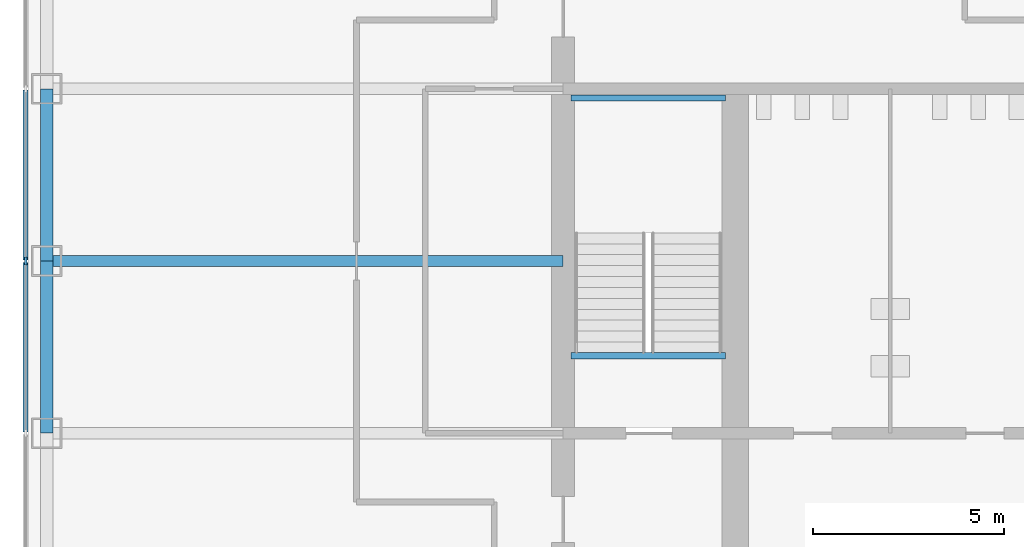
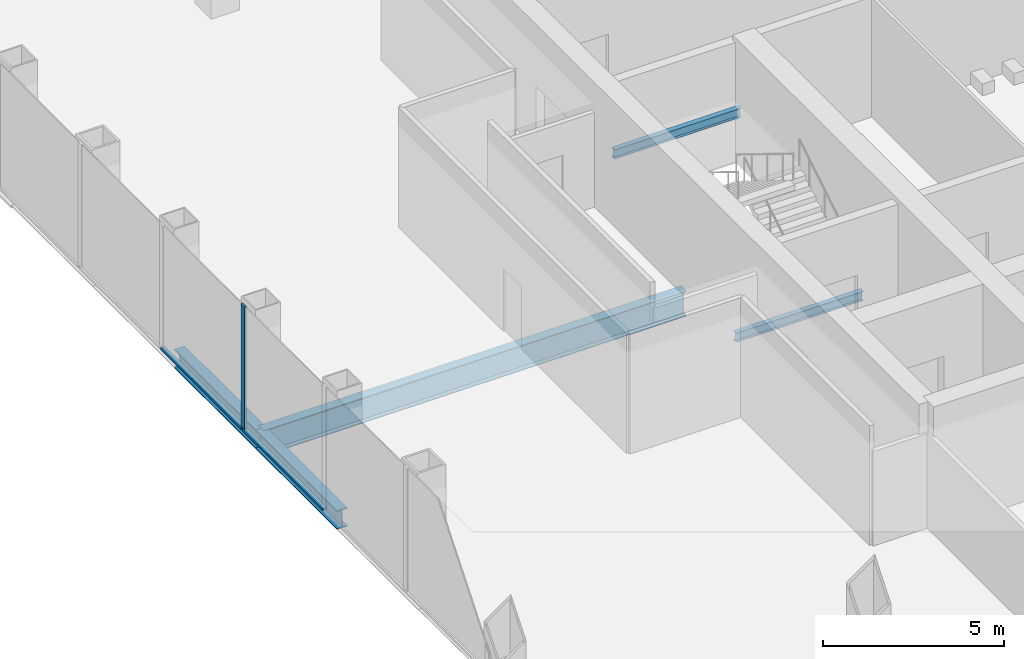
# One storey, part 3 of 12: 5 beams, 3 members, 1 element without a shape of its own.
"""IFC4 building model written with IfcOpenShell, lengths in metres."""

from ifc_helpers import new_model, si_unit, direction, frame, origin, origin_2d, place, context, subcontext, project, spatial, rectangle, i_section, extrude, material, material_profile, profile_set, type_object, element, aggregate, save


model = new_model("IFC4")

# Units and contexts
model_context = context("Model", 3, precision=1e-05, world=origin(), true_north=direction((0.0, 1.0)))
body_context = subcontext(model_context, "Body", "Model", "MODEL_VIEW")
ifc_project = project(units=[si_unit("LENGTHUNIT", "METRE"), si_unit("AREAUNIT", "SQUARE_METRE"), si_unit("VOLUMEUNIT", "CUBIC_METRE"), si_unit("PLANEANGLEUNIT", "RADIAN"), si_unit("MASSUNIT", "GRAM", prefix="KILO")], contexts=[model_context])

# Site, building, storey
site_placement = place(None, origin())
site = spatial("IfcSite", under=ifc_project, at=site_placement, CompositionType="ELEMENT")
building_placement = place(site_placement, origin())
building = spatial("IfcBuilding", under=site, at=building_placement, Name="Corais Broadcast Tower", CompositionType="ELEMENT")
storey_placement = place(building_placement, frame((0.0, 0.0, 75.199951171875)))
storey = spatial("IfcBuildingStorey", under=building, at=storey_placement, Name="L16", CompositionType="ELEMENT", Elevation=75.199951171875)

# Beams
ifc_material_1 = material(Name="Steel ASTM A572 Grade 50", Category="steel")
ifc_material_profile_1 = material_profile(ifc_material_1, i_section(OverallWidth=0.2939453125, OverallDepth=0.85107421875, WebThickness=0.01611328125, FlangeThickness=0.02685546875, at=origin_2d()), Name="W840x226")
ifc_profile_set_1 = profile_set([ifc_material_profile_1], Name="Steel ASTM A572 Grade 50")
beam_type_1 = type_object("IfcBeamType", Name="Floor beam W840x226", PredefinedType="BEAM", material=ifc_profile_set_1)
beam_placement = place(storey_placement, frame((0.0, 27.0, -0.58544921875), z_axis=(1.0, 0.0, 0.0), x_axis=(0.0, 1.0, 0.0)))
element("IfcBeam", 1, at=beam_placement, inside=storey, type_object=beam_type_1, Name="B1 G/3 to G/6", PredefinedType="BEAM", context=body_context, shape_type="SweptSolid", body=[
    extrude(i_section(OverallWidth=0.2939453125, OverallDepth=0.85107421875, WebThickness=0.01611328125, FlangeThickness=0.02685546875, at=origin_2d()), origin(), (0.0, 0.0, 1.0), 13.5),
])
ifc_material_2 = material(Name="Steel ASTM A572 Grade 50", Category="steel")
ifc_material_profile_2 = material_profile(ifc_material_2, i_section(OverallWidth=0.1650390625, OverallDepth=0.31005859375, WebThickness=0.005859375, FlangeThickness=0.009765625, at=origin_2d()), Name="W310x38.7")
ifc_profile_set_2 = profile_set([ifc_material_profile_2], Name="Steel ASTM A572 Grade 50")
beam_type_2 = type_object("IfcBeamType", Name="Landing trimmer W310x38.7", PredefinedType="BEAM", material=ifc_profile_set_2)
for number, where, z_axis, x_axis, name in (
    (2, (13.699951171875, 24.52490234375, -0.35498046875), (1.0, 0.0, 0.0), (0.0, 1.0, 0.0), "LT1 stair A landing trimmer L16"),
    (3, (13.699951171875, 31.260009765625, 1.7451171875), (1.0, 0.0, 0.0), (0.0, 1.0, 0.0), "LT1 stair A half landing trimmer L16"),
):
    element("IfcBeam", number, at=place(storey_placement, frame(where, z_axis=z_axis, x_axis=x_axis)), inside=storey, type_object=beam_type_2, Name=name, PredefinedType="BEAM", context=body_context, shape_type="SweptSolid", body=[
        extrude(i_section(OverallWidth=0.1650390625, OverallDepth=0.31005859375, WebThickness=0.005859375, FlangeThickness=0.009765625, at=origin_2d()), origin(), (0.0, 0.0, 1.0), 4.050048828125),
    ])

# Curtain wall, member
ifc_material_3 = material(Name="Aluminium and glass", Category="aluminium")
curtain_wall_type = type_object("IfcCurtainWallType", Name="Unitised fritted curtain wall CW1", PredefinedType="NOTDEFINED", material=ifc_material_3)
curtain_wall_placement = place(storey_placement, origin())
curtain_wall = element("IfcCurtainWall", 4, at=curtain_wall_placement, inside=storey, type_object=curtain_wall_type, Name="CW1 curtain wall L16 2", PredefinedType="NOTDEFINED")
ifc_material_4 = material(Name="Aluminium 6063-T6", Category="aluminium")
ifc_material_profile_3 = material_profile(ifc_material_4, rectangle(XDim=0.06494140625, YDim=0.199951171875, at=origin_2d()), Name="Mullion CW1 65x200")
ifc_profile_set_3 = profile_set([ifc_material_profile_3], Name="Aluminium 6063-T6")
member_type_1 = type_object("IfcMemberType", Name="Mullion CW1 65x200", PredefinedType="MULLION", material=ifc_profile_set_3)
member_1_placement = place(storey_placement, frame((-0.550048828125, 27.0, 0.0), z_axis=(0.0, 0.0, 1.0), x_axis=(-1.0, 0.0, 0.0)))
member_1 = element("IfcMember", 5, at=member_1_placement, type_object=member_type_1, Name="CW1 mullion 6", PredefinedType="MULLION", context=body_context, shape_type="SweptSolid", body=[
    extrude(rectangle(XDim=0.06494140625, YDim=0.199951171875, at=origin_2d()), origin(), (0.0, 0.0, 1.0), 4.199951171875),
])

# Beams
ifc_material_5 = material(Name="Steel ASTM A572 Grade 50", Category="steel")
ifc_material_profile_4 = material_profile(ifc_material_5, i_section(OverallWidth=0.3291015625, OverallDepth=0.635009765625, WebThickness=0.017822265625, FlangeThickness=0.031005859375, at=origin_2d()), Name="W610x241")
ifc_profile_set_4 = profile_set([ifc_material_profile_4], Name="Steel ASTM A572 Grade 50")
beam_type_3 = type_object("IfcBeamType", Name="Spandrel W610x241", PredefinedType="BEAM", material=ifc_profile_set_4)
for number, where, z_axis, x_axis, name in (
    (6, (0.0, 27.0, -0.4775390625), (0.0, -1.0, 0.0), (1.0, 0.0, 0.0), "SB1 G/3 to F/3"),
    (7, (0.0, 31.5, -0.4775390625), (0.0, -1.0, 0.0), (1.0, 0.0, 0.0), "SB1 H/3 to G/3"),
):
    element("IfcBeam", number, at=place(storey_placement, frame(where, z_axis=z_axis, x_axis=x_axis)), inside=storey, type_object=beam_type_3, Name=name, PredefinedType="BEAM", context=body_context, shape_type="SweptSolid", body=[
        extrude(i_section(OverallWidth=0.3291015625, OverallDepth=0.635009765625, WebThickness=0.017822265625, FlangeThickness=0.031005859375, at=origin_2d()), origin(), (0.0, 0.0, 1.0), 4.5),
    ])

# Member
ifc_material_6 = material(Name="Aluminium 6063-T6", Category="aluminium")
ifc_material_profile_5 = material_profile(ifc_material_6, rectangle(XDim=0.139892578125, YDim=0.06494140625, at=origin_2d()), Name="Transom CW1 65x140")
ifc_profile_set_5 = profile_set([ifc_material_profile_5], Name="Aluminium 6063-T6")
member_type_2 = type_object("IfcMemberType", Name="Transom CW1 65x140", PredefinedType="USERDEFINED", material=ifc_profile_set_5)
member_2_placement = place(storey_placement, frame((-0.550048828125, 22.532470703125, 0.032470703125), z_axis=(0.0, 1.0, 0.0), x_axis=(-1.0, 0.0, 0.0)))
member_2 = element("IfcMember", 8, at=member_2_placement, type_object=member_type_2, Name="CW1 transom 5.1", ObjectType="TRANSOM", PredefinedType="USERDEFINED", context=body_context, shape_type="SweptSolid", body=[
    extrude(rectangle(XDim=0.139892578125, YDim=0.06494140625, at=origin_2d()), origin(), (0.0, 0.0, 1.0), 4.43505859375),
])

member_3_placement = place(storey_placement, frame((-0.550048828125, 27.032470703125, 0.032470703125), z_axis=(0.0, 1.0, 0.0), x_axis=(-1.0, 0.0, 0.0)))
member_3 = element("IfcMember", 9, at=member_3_placement, type_object=member_type_2, Name="CW1 transom 6.1", ObjectType="TRANSOM", PredefinedType="USERDEFINED", context=body_context, shape_type="SweptSolid", body=[
    extrude(rectangle(XDim=0.139892578125, YDim=0.06494140625, at=origin_2d()), origin(), (0.0, 0.0, 1.0), 4.43505859375),
])

aggregate(curtain_wall, [member_1, member_2, member_3])

save(model, "model.ifc")
